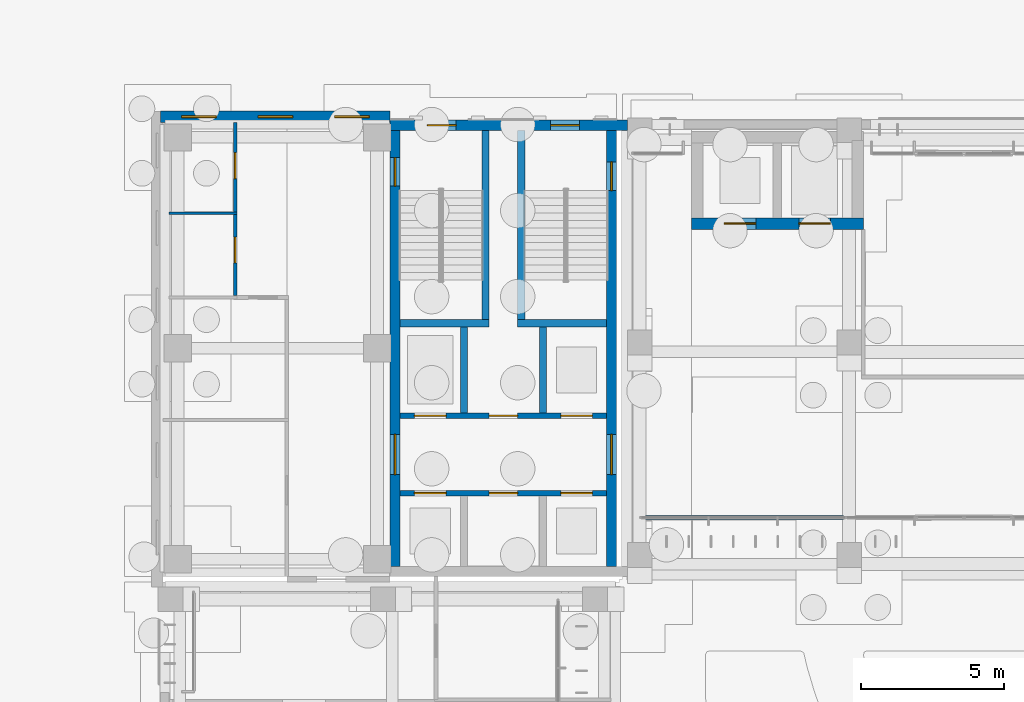
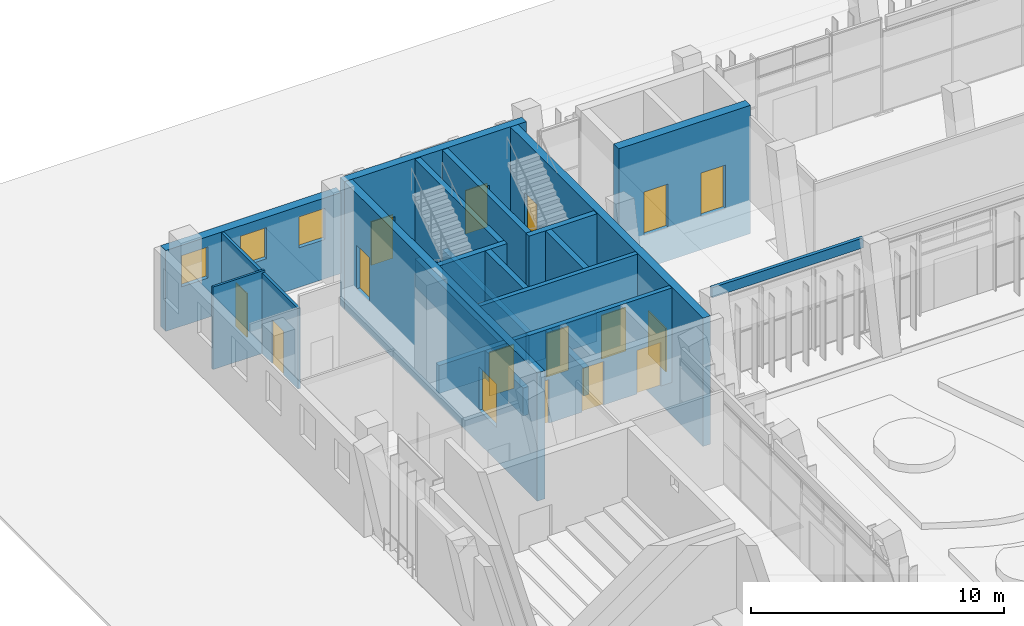
# One storey, part 110 of 144: 22 walls, 16 doors, 3 windows, 19 openings.
"""IFC4 building model written with IfcOpenShell, lengths in metres."""

import ifcopenshell
import ifcopenshell.guid

model = None  # the IFC model being written
_history = None  # IfcOwnerHistory: only IFC2X3 demands one
_inside = {}  # id of a spatial element -> (the spatial element, [elements in it])
_under = {}  # id of a project, library or spatial element -> (it, [spatial elements below it])
_declared = {}  # id of a project -> (the project, [libraries it declares])
_typed = {}  # id of a type object -> (the type object, [elements of that type])
_made_of = {}  # id of a material, layer set ... -> (it, [elements and type objects made of it])


def new_model(schema):
    """Start an empty IFC model of exactly this schema.

    Asked for "IFC4X3", IfcOpenShell would pick the latest addendum, in which some entities
    have other attributes; the version numbers below select the first issue.
    IFC2X3 requires an IfcOwnerHistory on every rooted entity: one is made here for all.
    """
    global model, _history
    if schema == "IFC4X3":
        model = ifcopenshell.file(schema_version=(4, 3, 0, 0))
    else:
        model = ifcopenshell.file(schema=schema)
    _inside.clear()
    _under.clear()
    _declared.clear()
    _typed.clear()
    _made_of.clear()
    _history = None
    if model.schema == "IFC2X3":
        org = make("IfcOrganization", Name="unknown")
        user = make(
            "IfcPersonAndOrganization",
            ThePerson=make("IfcPerson", FamilyName="unknown"),
            TheOrganization=org,
        )
        app = make(
            "IfcApplication",
            ApplicationDeveloper=org,
            Version="unknown",
            ApplicationFullName="unknown",
            ApplicationIdentifier="unknown",
        )
        _history = make(
            "IfcOwnerHistory",
            OwningUser=user,
            OwningApplication=app,
            ChangeAction="ADDED",
            CreationDate=0,
        )
    return model


def make(cls, **values):
    """One entity of the class cls with the attributes given. An attribute that is None is left unset."""
    return model.create_entity(
        cls, **{name: value for name, value in values.items() if value is not None}
    )


def rooted(cls, **values):
    """An entity with a GlobalId (a new one), such as an element, a storey or a relation."""
    return make(cls, GlobalId=ifcopenshell.guid.new(), OwnerHistory=_history, **values)


def si_unit(unit_type, name, prefix=None):
    """IfcSIUnit, for example si_unit("LENGTHUNIT", "METRE", prefix="MILLI")."""
    return make("IfcSIUnit", UnitType=unit_type, Prefix=prefix, Name=name)


def assignment(units):
    """IfcUnitAssignment: the units of a project."""
    return None if units is None else make("IfcUnitAssignment", Units=units)


def point(xyz):
    """IfcCartesianPoint."""
    return None if xyz is None else make("IfcCartesianPoint", Coordinates=xyz)


def direction(xyz):
    """IfcDirection."""
    return None if xyz is None else make("IfcDirection", DirectionRatios=xyz)


def frame(location, z_axis=None, x_axis=None):
    """IfcAxis2Placement3D, a coordinate frame: its origin and axes. An axis left out is left unset."""
    return make(
        "IfcAxis2Placement3D",
        Location=point(location),
        Axis=direction(z_axis),
        RefDirection=direction(x_axis),
    )


def frame_2d(location, x_axis=None):
    """IfcAxis2Placement2D, a coordinate frame in the plane: its origin and x axis."""
    return make(
        "IfcAxis2Placement2D", Location=point(location), RefDirection=direction(x_axis)
    )


def origin():
    """The frame at (0, 0, 0) with its axes left unset."""
    return frame((0.0, 0.0, 0.0))


def place(relative_to, where):
    """IfcLocalPlacement: puts the frame where relative to a parent placement (None: the world)."""
    return make(
        "IfcLocalPlacement", PlacementRelTo=relative_to, RelativePlacement=where
    )


def context(
    kind, dimensions, precision=None, world=None, true_north=None, identifier=None
):
    """IfcGeometricRepresentationContext, for example the 3D "Model" context."""
    return make(
        "IfcGeometricRepresentationContext",
        ContextIdentifier=identifier,
        ContextType=kind,
        CoordinateSpaceDimension=dimensions,
        Precision=precision,
        WorldCoordinateSystem=world,
        TrueNorth=true_north,
    )


def subcontext(parent, identifier, kind, view, scale=None):
    """IfcGeometricRepresentationSubContext, for example "Body" below "Model"."""
    return make(
        "IfcGeometricRepresentationSubContext",
        ContextIdentifier=identifier,
        ContextType=kind,
        ParentContext=parent,
        TargetScale=scale,
        TargetView=view,
    )


def project(units=None, contexts=None):
    """IfcProject with its units and contexts."""
    return rooted(
        "IfcProject",
        Name="project",
        RepresentationContexts=contexts,
        UnitsInContext=assignment(units),
    )


def spatial(cls, under=None, at=None, **own):
    """A site, building, storey or space (cls), placed at a placement, below another one or the project."""
    s = rooted(cls, ObjectPlacement=at, **own)
    if under is not None:
        _under.setdefault(under.id(), (under, []))[1].append(s)
    return s


def profile(cls, at=None, kind="AREA", **sizes):
    """A parametric profile (cls). Its sizes go by their IFC names, for example OverallWidth=200.0."""
    return make(cls, ProfileType=kind, Position=at, **sizes)


def rectangle(**sizes):
    """IfcRectangleProfileDef."""
    return profile("IfcRectangleProfileDef", **sizes)


def extrude(swept, where, along, depth):
    """IfcExtrudedAreaSolid: the profile swept, set in the frame where, extruded along a direction by depth."""
    return make(
        "IfcExtrudedAreaSolid",
        SweptArea=swept,
        Position=where,
        ExtrudedDirection=direction(along),
        Depth=depth,
    )


def shape(context_of_items, identifier, shape_type, items):
    """IfcShapeRepresentation: the items that make up one representation, for example the "Body"."""
    return make(
        "IfcShapeRepresentation",
        ContextOfItems=context_of_items,
        RepresentationIdentifier=identifier,
        RepresentationType=shape_type,
        Items=items,
    )


def material(Name=None, Category=None):
    """IfcMaterial."""
    return make("IfcMaterial", Name=Name, Category=Category)


def layer(
    of_material, thickness, ventilated=None, Name=None, Category=None, Priority=None
):
    """IfcMaterialLayer: one layer of a wall or slab, of a material (None: an air gap)."""
    return make(
        "IfcMaterialLayer",
        Material=of_material,
        LayerThickness=thickness,
        IsVentilated=ventilated,
        Name=Name,
        Category=Category,
        Priority=Priority,
    )


def layer_set(layers, Name=None):
    """IfcMaterialLayerSet."""
    return make("IfcMaterialLayerSet", MaterialLayers=layers, LayerSetName=Name)


def made_of(thing, what):
    """Note that an element or type object is made of a material, layer set ...; save() writes the relation."""
    if what is not None:
        _made_of.setdefault(what.id(), (what, []))[1].append(thing)
    return thing


def type_object(cls, material=None, **own):
    """A type object (cls), such as IfcWallType, which elements share."""
    return made_of(rooted(cls, **own), material)


def element(
    cls,
    number,
    at=None,
    inside=None,
    cuts=None,
    type_object=None,
    material=None,
    context=None,
    identifier="Body",
    shape_type=None,
    held_by="IfcProductDefinitionShape",
    body=None,
    shapes=None,
    **own,
):
    """One element of the class cls, such as IfcWall. Its Tag is "e" and its number.

    at: its placement. inside: the storey or other place that contains it. cuts: it is an
    opening in that element (IfcRelVoidsElement). A single representation is given by context,
    identifier, shape_type and body (its items); several are given by shapes. held_by: the class
    of the entity that holds the representations. save() writes the other relations.
    """
    e = rooted(cls, Tag="e%d" % number, ObjectPlacement=at, **own)
    if body is not None:
        shapes = [shape(context, identifier, shape_type, body)]
    if shapes is not None:
        e.Representation = make(held_by, Representations=shapes)
    if inside is not None:
        _inside.setdefault(inside.id(), (inside, []))[1].append(e)
    if cuts is not None:
        rooted(
            "IfcRelVoidsElement", RelatingBuildingElement=cuts, RelatedOpeningElement=e
        )
    if type_object is not None:
        _typed.setdefault(type_object.id(), (type_object, []))[1].append(e)
    return made_of(e, material)


def fill(opening, filler):
    """IfcRelFillsElement: the door or window that sits in an opening."""
    return rooted(
        "IfcRelFillsElement",
        RelatingOpeningElement=opening,
        RelatedBuildingElement=filler,
    )


def aggregate(whole, parts):
    """IfcRelAggregates: a whole, such as a stair, and the parts it consists of."""
    return rooted("IfcRelAggregates", RelatingObject=whole, RelatedObjects=parts)


def save(model, path):
    """Write the relations noted so far, then the file.

    IfcRelAggregates (storeys below a building ...), IfcRelContainedInSpatialStructure (elements
    in a storey), IfcRelDefinesByType, IfcRelAssociatesMaterial and IfcRelDeclares: one each for
    every whole, place, type object, material and project.
    """
    for whole, parts in _under.values():
        aggregate(whole, parts)
    for where, things in _inside.values():
        rooted(
            "IfcRelContainedInSpatialStructure",
            RelatedElements=things,
            RelatingStructure=where,
        )
    for kind, things in _typed.values():
        rooted("IfcRelDefinesByType", RelatedObjects=things, RelatingType=kind)
    for what, things in _made_of.values():
        rooted("IfcRelAssociatesMaterial", RelatedObjects=things, RelatingMaterial=what)
    for by, libraries in _declared.values():
        rooted("IfcRelDeclares", RelatingContext=by, RelatedDefinitions=libraries)
    model.write(path)


model = new_model("IFC4")

# Units and contexts
model_context = context("Model", 3, precision=1e-05, world=origin(), true_north=direction((0.0, 1.0)))
body_context = subcontext(model_context, "Body", "Model", "MODEL_VIEW")
ifc_project = project(units=[si_unit("LENGTHUNIT", "METRE"), si_unit("AREAUNIT", "SQUARE_METRE"), si_unit("VOLUMEUNIT", "CUBIC_METRE"), si_unit("PLANEANGLEUNIT", "RADIAN"), si_unit("MASSUNIT", "GRAM", prefix="KILO")], contexts=[model_context])

# Site, building, storey
site_placement = place(None, origin())
site = spatial("IfcSite", under=ifc_project, at=site_placement, CompositionType="ELEMENT")
building_placement = place(site_placement, origin())
building = spatial("IfcBuilding", under=site, at=building_placement, Name="Lantern Court Media Centre", CompositionType="ELEMENT")
storey_placement = place(building_placement, origin())
storey = spatial("IfcBuildingStorey", under=building, at=storey_placement, Name="L00", CompositionType="ELEMENT", Elevation=0.0)

# Wall, openings, doors
ifc_material_1 = material(Name="Gypsum board partition")
ifc_layer_1 = layer(ifc_material_1, 0.125)
ifc_layer_set_1 = layer_set([ifc_layer_1], Name="Gypsum board partition")
wall_type_1 = type_object("IfcWallType", Name="Corridor partition 125", PredefinedType="PARTITIONING", material=ifc_layer_set_1)
wall_1_placement = place(storey_placement, frame((10.60009765625, 105.8828125, 0.0), z_axis=(0.0, 0.0, 1.0), x_axis=(0.0, 1.0, 0.0)))
wall_1 = element("IfcWall", 1, at=wall_1_placement, inside=storey, type_object=wall_type_1, Name="L00 partition 035", PredefinedType="PARTITIONING", context=body_context, shape_type="SweptSolid", body=[
    extrude(rectangle(XDim=6.037109375, YDim=0.125, at=frame_2d((3.0185546875, 0.0))), origin(), (0.0, 0.0, 1.0), 3.8798828125),
])
opening_1_placement = place(wall_1_placement, frame((4.084228515625, 0.0, 0.0)))
opening_1 = element("IfcOpeningElement", 2, at=opening_1_placement, cuts=wall_1, Name="Opening L00-029", PredefinedType="OPENING", context=body_context, shape_type="SweptSolid", body=[
    extrude(rectangle(XDim=0.89990234375, YDim=2.10009765625, at=frame_2d((0.449951171875, 1.050048828125))), frame((0.0, 0.072509765625, 0.0), z_axis=(0.0, -1.0, 0.0), x_axis=(1.0, 0.0, 0.0)), (0.0, 0.0, 1.0), 0.14501953125),
])
opening_2_placement = place(wall_1_placement, frame((1.144287109375, 0.0, 0.0)))
opening_2 = element("IfcOpeningElement", 3, at=opening_2_placement, cuts=wall_1, Name="Opening L00-030", PredefinedType="OPENING", context=body_context, shape_type="SweptSolid", body=[
    extrude(rectangle(XDim=0.89990234375, YDim=2.10009765625, at=frame_2d((0.449951171875, 1.050048828125))), frame((0.0, 0.072509765625, 0.0), z_axis=(0.0, -1.0, 0.0), x_axis=(1.0, 0.0, 0.0)), (0.0, 0.0, 1.0), 0.14501953125),
])
ifc_material_2 = material(Name="Solid-core timber door leaf", Category="wood")
door_type_1 = type_object("IfcDoorType", Name="Single door 900x2100", OperationType="NOTDEFINED", PredefinedType="DOOR", material=ifc_material_2)
door_1_placement = place(opening_1_placement, origin())
door_1 = element("IfcDoor", 4, at=door_1_placement, inside=storey, type_object=door_type_1, Name="L00 WC Male door", OperationType="SINGLE_SWING_RIGHT", OverallHeight=2.10009765625, OverallWidth=0.89990234375, PredefinedType="DOOR", context=body_context, shape_type="SweptSolid", body=[
    extrude(rectangle(XDim=0.89990234375, YDim=2.10009765625, at=frame_2d((0.449951171875, 1.050048828125))), frame((0.0, 0.02490234375, 0.0), z_axis=(0.0, -1.0, 0.0), x_axis=(1.0, 0.0, 0.0)), (0.0, 0.0, 1.0), 0.050048828125),
])
fill(opening_1, door_1)
door_2_placement = place(opening_2_placement, origin())
door_2 = element("IfcDoor", 5, at=door_2_placement, inside=storey, type_object=door_type_1, Name="L00 WC Female door", OperationType="SINGLE_SWING_LEFT", OverallHeight=2.10009765625, OverallWidth=0.89990234375, PredefinedType="DOOR", context=body_context, shape_type="SweptSolid", body=[
    extrude(rectangle(XDim=0.89990234375, YDim=2.10009765625, at=frame_2d((0.449951171875, 1.050048828125))), frame((0.0, 0.02490234375, 0.0), z_axis=(0.0, -1.0, 0.0), x_axis=(1.0, 0.0, 0.0)), (0.0, 0.0, 1.0), 0.050048828125),
])
fill(opening_2, door_2)

ifc_material_3 = material(Name="Concrete C40", Category="concrete")
ifc_layer_2 = layer(ifc_material_3, 0.199951171875)
ifc_layer_set_2 = layer_set([ifc_layer_2], Name="Concrete C40")
wall_type_2 = type_object("IfcWallType", Name="Fire lobby wall 200", PredefinedType="SOLIDWALL", material=ifc_layer_set_2)
wall_2_placement = place(storey_placement, frame((16.35009765625, 101.699951171875, 0.0), z_axis=(0.0, 0.0, 1.0), x_axis=(1.0, 0.0, 0.0)))
wall_2 = element("IfcWall", 6, at=wall_2_placement, inside=storey, type_object=wall_type_2, Name="L00 NW FW1", PredefinedType="SOLIDWALL", context=body_context, shape_type="SweptSolid", body=[
    extrude(rectangle(XDim=7.199951171875, YDim=0.199951171875, at=frame_2d((3.60009765625, 0.0))), origin(), (0.0, 0.0, 1.0), 4.550048828125),
])
opening_3_placement = place(wall_2_placement, frame((0.5, 0.0, 0.0)))
opening_3 = element("IfcOpeningElement", 7, at=opening_3_placement, cuts=wall_2, Name="Opening LD-NWFF-L00", PredefinedType="OPENING", context=body_context, shape_type="SweptSolid", body=[
    extrude(rectangle(XDim=1.10009765625, YDim=2.10009765625, at=frame_2d((0.550048828125, 1.050048828125))), frame((0.0, 0.10986328125, 0.0), z_axis=(0.0, -1.0, 0.0), x_axis=(1.0, 0.0, 0.0)), (0.0, 0.0, 1.0), 0.219970703125),
])
opening_4_placement = place(wall_2_placement, frame((5.60009765625, 0.0, 0.0)))
opening_4 = element("IfcOpeningElement", 8, at=opening_4_placement, cuts=wall_2, Name="Opening LD-NWP1-L00", PredefinedType="OPENING", context=body_context, shape_type="SweptSolid", body=[
    extrude(rectangle(XDim=1.10009765625, YDim=2.10009765625, at=frame_2d((0.550048828125, 1.050048828125))), frame((0.0, 0.10986328125, 0.0), z_axis=(0.0, -1.0, 0.0), x_axis=(1.0, 0.0, 0.0)), (0.0, 0.0, 1.0), 0.219970703125),
])
opening_5_placement = place(wall_2_placement, frame((3.10009765625, 0.0, 0.0)))
opening_5 = element("IfcOpeningElement", 9, at=opening_5_placement, cuts=wall_2, Name="Opening NW-L00-05", PredefinedType="OPENING", context=body_context, shape_type="SweptSolid", body=[
    extrude(rectangle(XDim=1.0, YDim=2.10009765625, at=frame_2d((0.5, 1.050048828125))), frame((0.0, 0.10986328125, 0.0), z_axis=(0.0, -1.0, 0.0), x_axis=(1.0, 0.0, 0.0)), (0.0, 0.0, 1.0), 0.219970703125),
])
ifc_material_4 = material(Name="Steel door leaf", Category="steel")
door_type_2 = type_object("IfcDoorType", Name="Lift landing door 1100x2100", OperationType="DOUBLE_DOOR_SLIDING", PredefinedType="DOOR", material=ifc_material_4)
door_3_placement = place(opening_3_placement, frame((1.10009765625, 0.0, 0.0), z_axis=(0.0, 0.0, 1.0), x_axis=(-1.0, 0.0, 0.0)))
door_3 = element("IfcDoor", 10, at=door_3_placement, inside=storey, type_object=door_type_2, Name="L00 NW lift FF landing door", OperationType="DOUBLE_DOOR_SLIDING", OverallHeight=2.10009765625, OverallWidth=1.10009765625, PredefinedType="DOOR", context=body_context, shape_type="SweptSolid", body=[
    extrude(rectangle(XDim=1.10009765625, YDim=2.10009765625, at=frame_2d((0.550048828125, 1.050048828125))), frame((0.0, 0.02490234375, 0.0), z_axis=(0.0, -1.0, 0.0), x_axis=(1.0, 0.0, 0.0)), (0.0, 0.0, 1.0), 0.050048828125),
])
fill(opening_3, door_3)
door_4_placement = place(opening_4_placement, frame((1.10009765625, 0.0, 0.0), z_axis=(0.0, 0.0, 1.0), x_axis=(-1.0, 0.0, 0.0)))
door_4 = element("IfcDoor", 11, at=door_4_placement, inside=storey, type_object=door_type_2, Name="L00 NW lift P1 landing door", OperationType="DOUBLE_DOOR_SLIDING", OverallHeight=2.10009765625, OverallWidth=1.10009765625, PredefinedType="DOOR", context=body_context, shape_type="SweptSolid", body=[
    extrude(rectangle(XDim=1.10009765625, YDim=2.10009765625, at=frame_2d((0.550048828125, 1.050048828125))), frame((0.0, 0.02490234375, 0.0), z_axis=(0.0, -1.0, 0.0), x_axis=(1.0, 0.0, 0.0)), (0.0, 0.0, 1.0), 0.050048828125),
])
fill(opening_4, door_4)
door_type_3 = type_object("IfcDoorType", Name="Service door 1000x2100", OperationType="NOTDEFINED", PredefinedType="DOOR", material=ifc_material_4)
door_5_placement = place(opening_5_placement, frame((1.0, 0.0, 0.0), z_axis=(0.0, 0.0, 1.0), x_axis=(-1.0, 0.0, 0.0)))
door_5 = element("IfcDoor", 12, at=door_5_placement, inside=storey, type_object=door_type_3, Name="L00 NW services riser door", OperationType="SINGLE_SWING_LEFT", OverallHeight=2.10009765625, OverallWidth=1.0, PredefinedType="DOOR", context=body_context, shape_type="SweptSolid", body=[
    extrude(rectangle(XDim=1.0, YDim=2.10009765625, at=frame_2d((0.5, 1.050048828125))), frame((0.0, 0.02490234375, 0.0), z_axis=(0.0, -1.0, 0.0), x_axis=(1.0, 0.0, 0.0)), (0.0, 0.0, 1.0), 0.050048828125),
])
fill(opening_5, door_5)

wall_3_placement = place(storey_placement, frame((16.35009765625, 99.0, 0.0), z_axis=(0.0, 0.0, 1.0), x_axis=(1.0, 0.0, 0.0)))
wall_3 = element("IfcWall", 13, at=wall_3_placement, inside=storey, type_object=wall_type_2, Name="L00 NW FW2", PredefinedType="SOLIDWALL", context=body_context, shape_type="SweptSolid", body=[
    extrude(rectangle(XDim=7.199951171875, YDim=0.199951171875, at=frame_2d((3.60009765625, 0.0))), origin(), (0.0, 0.0, 1.0), 4.550048828125),
])
opening_6_placement = place(wall_3_placement, frame((0.5, 0.0, 0.0)))
opening_6 = element("IfcOpeningElement", 14, at=opening_6_placement, cuts=wall_3, Name="Opening LD-NWP2-L00", PredefinedType="OPENING", context=body_context, shape_type="SweptSolid", body=[
    extrude(rectangle(XDim=1.10009765625, YDim=2.10009765625, at=frame_2d((0.550048828125, 1.050048828125))), frame((0.0, 0.10986328125, 0.0), z_axis=(0.0, -1.0, 0.0), x_axis=(1.0, 0.0, 0.0)), (0.0, 0.0, 1.0), 0.219970703125),
])
opening_7_placement = place(wall_3_placement, frame((5.60009765625, 0.0, 0.0)))
opening_7 = element("IfcOpeningElement", 15, at=opening_7_placement, cuts=wall_3, Name="Opening LD-NWP3-L00", PredefinedType="OPENING", context=body_context, shape_type="SweptSolid", body=[
    extrude(rectangle(XDim=1.10009765625, YDim=2.10009765625, at=frame_2d((0.550048828125, 1.050048828125))), frame((0.0, 0.10986328125, 0.0), z_axis=(0.0, -1.0, 0.0), x_axis=(1.0, 0.0, 0.0)), (0.0, 0.0, 1.0), 0.219970703125),
])
opening_8_placement = place(wall_3_placement, frame((3.10009765625, 0.0, 0.0)))
opening_8 = element("IfcOpeningElement", 16, at=opening_8_placement, cuts=wall_3, Name="Opening NW-L00-06", PredefinedType="OPENING", context=body_context, shape_type="SweptSolid", body=[
    extrude(rectangle(XDim=1.0, YDim=2.10009765625, at=frame_2d((0.5, 1.050048828125))), frame((0.0, 0.10986328125, 0.0), z_axis=(0.0, -1.0, 0.0), x_axis=(1.0, 0.0, 0.0)), (0.0, 0.0, 1.0), 0.219970703125),
])
door_6_placement = place(opening_6_placement, origin())
door_6 = element("IfcDoor", 17, at=door_6_placement, inside=storey, type_object=door_type_2, Name="L00 NW lift P2 landing door", OperationType="DOUBLE_DOOR_SLIDING", OverallHeight=2.10009765625, OverallWidth=1.10009765625, PredefinedType="DOOR", context=body_context, shape_type="SweptSolid", body=[
    extrude(rectangle(XDim=1.10009765625, YDim=2.10009765625, at=frame_2d((0.550048828125, 1.050048828125))), frame((0.0, 0.02490234375, 0.0), z_axis=(0.0, -1.0, 0.0), x_axis=(1.0, 0.0, 0.0)), (0.0, 0.0, 1.0), 0.050048828125),
])
fill(opening_6, door_6)
door_7_placement = place(opening_7_placement, origin())
door_7 = element("IfcDoor", 18, at=door_7_placement, inside=storey, type_object=door_type_2, Name="L00 NW lift P3 landing door", OperationType="DOUBLE_DOOR_SLIDING", OverallHeight=2.10009765625, OverallWidth=1.10009765625, PredefinedType="DOOR", context=body_context, shape_type="SweptSolid", body=[
    extrude(rectangle(XDim=1.10009765625, YDim=2.10009765625, at=frame_2d((0.550048828125, 1.050048828125))), frame((0.0, 0.02490234375, 0.0), z_axis=(0.0, -1.0, 0.0), x_axis=(1.0, 0.0, 0.0)), (0.0, 0.0, 1.0), 0.050048828125),
])
fill(opening_7, door_7)
door_8_placement = place(opening_8_placement, origin())
door_8 = element("IfcDoor", 19, at=door_8_placement, inside=storey, type_object=door_type_3, Name="L00 NW accessible WC door", OperationType="SINGLE_SWING_RIGHT", OverallHeight=2.10009765625, OverallWidth=1.0, PredefinedType="DOOR", context=body_context, shape_type="SweptSolid", body=[
    extrude(rectangle(XDim=1.0, YDim=2.10009765625, at=frame_2d((0.5, 1.050048828125))), frame((0.0, 0.02490234375, 0.0), z_axis=(0.0, -1.0, 0.0), x_axis=(1.0, 0.0, 0.0)), (0.0, 0.0, 1.0), 0.050048828125),
])
fill(opening_8, door_8)

# Wall
ifc_material_5 = material(Name="Insulated rendered blockwork", Category="masonry")
ifc_layer_3 = layer(ifc_material_5, 0.14990234375)
ifc_layer_set_3 = layer_set([ifc_layer_3], Name="Insulated rendered blockwork")
wall_type_3 = type_object("IfcWallType", Name="Head infill wall 150", PredefinedType="SOLIDWALL", material=ifc_layer_set_3)
wall_4_placement = place(storey_placement, frame((24.89990234375, 98.14990234375, 4.10009765625), z_axis=(0.0, 0.0, 1.0), x_axis=(1.0, 0.0, 0.0)))
element("IfcWall", 20, at=wall_4_placement, inside=storey, type_object=wall_type_3, Name="Head infill wall N inner L00", PredefinedType="SOLIDWALL", context=body_context, shape_type="SweptSolid", body=[
    extrude(rectangle(XDim=6.900146484375, YDim=0.14990234375, at=frame_2d((3.4501953125, 0.0))), origin(), (0.0, 0.0, 1.0), 0.47998046875),
])

# Wall, openings, windows
ifc_material_6 = material(Name="Honed limestone cladding on blockwork", Category="masonry")
ifc_layer_4 = layer(ifc_material_6, 0.39990234375)
ifc_layer_set_4 = layer_set([ifc_layer_4], Name="Honed limestone cladding on blockwork")
wall_type_4 = type_object("IfcWallType", Name="Limestone plinth wall 400", PredefinedType="SOLIDWALL", material=ifc_layer_set_4)
wall_5_placement = place(storey_placement, frame((8.0, 112.1201171875, 0.0), z_axis=(0.0, 0.0, 1.0), x_axis=(1.0, 0.0, 0.0)))
wall_5 = element("IfcWall", 21, at=wall_5_placement, inside=storey, type_object=wall_type_4, Name="Limestone wall NW N L00", PredefinedType="SOLIDWALL", context=body_context, shape_type="SweptSolid", body=[
    extrude(rectangle(XDim=8.0, YDim=0.39990234375, at=frame_2d((4.0, 0.0))), origin(), (0.0, 0.0, 1.0), 3.89990234375),
])
opening_9_placement = place(wall_5_placement, frame((0.7333984375, 0.0, 1.89990234375)))
opening_9 = element("IfcOpeningElement", 22, at=opening_9_placement, cuts=wall_5, Name="Opening WN-C", PredefinedType="OPENING", context=body_context, shape_type="SweptSolid", body=[
    extrude(rectangle(XDim=1.199951171875, YDim=1.5, at=frame_2d((0.60009765625, 0.75))), frame((0.0, 0.2099609375, 0.0), z_axis=(0.0, -1.0, 0.0), x_axis=(1.0, 0.0, 0.0)), (0.0, 0.0, 1.0), 0.419921875),
])
opening_10_placement = place(wall_5_placement, frame((3.39990234375, 0.0, 1.89990234375)))
opening_10 = element("IfcOpeningElement", 23, at=opening_10_placement, cuts=wall_5, Name="Opening WN-C", PredefinedType="OPENING", context=body_context, shape_type="SweptSolid", body=[
    extrude(rectangle(XDim=1.199951171875, YDim=1.5, at=frame_2d((0.60009765625, 0.75))), frame((0.0, 0.2099609375, 0.0), z_axis=(0.0, -1.0, 0.0), x_axis=(1.0, 0.0, 0.0)), (0.0, 0.0, 1.0), 0.419921875),
])
opening_11_placement = place(wall_5_placement, frame((6.066650390625, 0.0, 1.89990234375)))
opening_11 = element("IfcOpeningElement", 24, at=opening_11_placement, cuts=wall_5, Name="Opening WN-C", PredefinedType="OPENING", context=body_context, shape_type="SweptSolid", body=[
    extrude(rectangle(XDim=1.199951171875, YDim=1.5, at=frame_2d((0.60009765625, 0.75))), frame((0.0, 0.2099609375, 0.0), z_axis=(0.0, -1.0, 0.0), x_axis=(1.0, 0.0, 0.0)), (0.0, 0.0, 1.0), 0.419921875),
])
ifc_material_7 = material(Name="Anodised aluminium and glass", Category="aluminium")
window_type = type_object("IfcWindowType", Name="Clerestory window 1200x1500", PartitioningType="SINGLE_PANEL", PredefinedType="WINDOW", material=ifc_material_7)
window_1_placement = place(opening_9_placement, origin())
window_1 = element("IfcWindow", 25, at=window_1_placement, inside=storey, type_object=window_type, Name="Window NW N L00", OverallHeight=1.5, OverallWidth=1.199951171875, PartitioningType="SINGLE_PANEL", PredefinedType="WINDOW", context=body_context, shape_type="SweptSolid", body=[
    extrude(rectangle(XDim=1.199951171875, YDim=1.5, at=frame_2d((0.60009765625, 0.75))), frame((0.0, 0.030029296875, 0.0), z_axis=(0.0, -1.0, 0.0), x_axis=(1.0, 0.0, 0.0)), (0.0, 0.0, 1.0), 0.06005859375),
])
fill(opening_9, window_1)
window_2_placement = place(opening_10_placement, origin())
window_2 = element("IfcWindow", 26, at=window_2_placement, inside=storey, type_object=window_type, Name="Window NW N L00", OverallHeight=1.5, OverallWidth=1.199951171875, PartitioningType="SINGLE_PANEL", PredefinedType="WINDOW", context=body_context, shape_type="SweptSolid", body=[
    extrude(rectangle(XDim=1.199951171875, YDim=1.5, at=frame_2d((0.60009765625, 0.75))), frame((0.0, 0.030029296875, 0.0), z_axis=(0.0, -1.0, 0.0), x_axis=(1.0, 0.0, 0.0)), (0.0, 0.0, 1.0), 0.06005859375),
])
fill(opening_10, window_2)
window_3_placement = place(opening_11_placement, origin())
window_3 = element("IfcWindow", 27, at=window_3_placement, inside=storey, type_object=window_type, Name="Window NW N L00", OverallHeight=1.5, OverallWidth=1.199951171875, PartitioningType="SINGLE_PANEL", PredefinedType="WINDOW", context=body_context, shape_type="SweptSolid", body=[
    extrude(rectangle(XDim=1.199951171875, YDim=1.5, at=frame_2d((0.60009765625, 0.75))), frame((0.0, 0.030029296875, 0.0), z_axis=(0.0, -1.0, 0.0), x_axis=(1.0, 0.0, 0.0)), (0.0, 0.0, 1.0), 0.06005859375),
])
fill(opening_11, window_3)

# Wall
ifc_layer_5 = layer(ifc_material_1, 0.10009765625)
ifc_layer_set_5 = layer_set([ifc_layer_5], Name="Gypsum board partition")
wall_type_5 = type_object("IfcWallType", Name="Partition 100", PredefinedType="PARTITIONING", material=ifc_layer_set_5)
wall_6_placement = place(storey_placement, frame((8.300048828125, 108.760009765625, 0.0), z_axis=(0.0, 0.0, 1.0), x_axis=(1.0, 0.0, 0.0)))
element("IfcWall", 28, at=wall_6_placement, inside=storey, type_object=wall_type_5, Name="L00 partition 050", PredefinedType="PARTITIONING", context=body_context, shape_type="SweptSolid", body=[
    extrude(rectangle(XDim=2.362548828125, YDim=0.10009765625, at=frame_2d((1.18115234375, 0.0))), origin(), (0.0, 0.0, 1.0), 3.97998046875),
])

# Wall, openings, doors
ifc_layer_6 = layer(ifc_material_3, 0.35009765625)
ifc_layer_set_6 = layer_set([ifc_layer_6], Name="Concrete C40")
wall_type_6 = type_object("IfcWallType", Name="RC CORE WALL 350", PredefinedType="SHEAR", material=ifc_layer_set_6)
wall_7_placement = place(storey_placement, frame((16.0, 111.824951171875, -1.60009765625), z_axis=(0.0, 0.0, 1.0), x_axis=(1.0, 0.0, 0.0)))
wall_7 = element("IfcWall", 29, at=wall_7_placement, inside=storey, type_object=wall_type_6, Name="WC-NW-L00-N", PredefinedType="SHEAR", context=body_context, shape_type="SweptSolid", body=[
    extrude(rectangle(XDim=8.27490234375, YDim=0.35009765625, at=frame_2d((4.137451171875, 0.0))), origin(), (0.0, 0.0, 1.0), 6.18017578125),
])
opening_12_placement = place(wall_7_placement, frame((1.300048828125, 0.0, 1.60009765625)))
opening_12 = element("IfcOpeningElement", 30, at=opening_12_placement, cuts=wall_7, Name="Opening NW-L00-03", PredefinedType="OPENING", context=body_context, shape_type="SweptSolid", body=[
    extrude(rectangle(XDim=1.0, YDim=2.10009765625, at=frame_2d((0.5, 1.050048828125))), frame((0.0, 0.18505859375, 0.0), z_axis=(0.0, -1.0, 0.0), x_axis=(1.0, 0.0, 0.0)), (0.0, 0.0, 1.0), 0.3701171875),
])
opening_13_placement = place(wall_7_placement, frame((5.60009765625, 0.0, 1.60009765625)))
opening_13 = element("IfcOpeningElement", 31, at=opening_13_placement, cuts=wall_7, Name="Opening NW-L00-04", PredefinedType="OPENING", context=body_context, shape_type="SweptSolid", body=[
    extrude(rectangle(XDim=1.0, YDim=2.10009765625, at=frame_2d((0.5, 1.050048828125))), frame((0.0, 0.18505859375, 0.0), z_axis=(0.0, -1.0, 0.0), x_axis=(1.0, 0.0, 0.0)), (0.0, 0.0, 1.0), 0.3701171875),
])
door_type_4 = type_object("IfcDoorType", Name="Stair exit door 1000x2100", OperationType="NOTDEFINED", PredefinedType="DOOR", material=ifc_material_4)
door_9_placement = place(opening_12_placement, origin())
door_9 = element("IfcDoor", 32, at=door_9_placement, inside=storey, type_object=door_type_4, Name="L00 NW stair A exit door", OperationType="SINGLE_SWING_RIGHT", OverallHeight=2.10009765625, OverallWidth=1.0, PredefinedType="DOOR", context=body_context, shape_type="SweptSolid", body=[
    extrude(rectangle(XDim=1.0, YDim=2.10009765625, at=frame_2d((0.5, 1.050048828125))), frame((0.0, 0.02490234375, 0.0), z_axis=(0.0, -1.0, 0.0), x_axis=(1.0, 0.0, 0.0)), (0.0, 0.0, 1.0), 0.050048828125),
])
fill(opening_12, door_9)
door_10_placement = place(opening_13_placement, origin())
door_10 = element("IfcDoor", 33, at=door_10_placement, inside=storey, type_object=door_type_4, Name="L00 NW stair B exit door", OperationType="SINGLE_SWING_LEFT", OverallHeight=2.10009765625, OverallWidth=1.0, PredefinedType="DOOR", context=body_context, shape_type="SweptSolid", body=[
    extrude(rectangle(XDim=1.0, YDim=2.10009765625, at=frame_2d((0.5, 1.050048828125))), frame((0.0, 0.02490234375, 0.0), z_axis=(0.0, -1.0, 0.0), x_axis=(1.0, 0.0, 0.0)), (0.0, 0.0, 1.0), 0.050048828125),
])
fill(opening_13, door_10)

wall_8_placement = place(storey_placement, frame((16.175048828125, 96.449951171875, -1.60009765625), z_axis=(0.0, 0.0, 1.0), x_axis=(0.0, 1.0, 0.0)))
wall_8 = element("IfcWall", 34, at=wall_8_placement, inside=storey, type_object=wall_type_6, Name="WC-NW-L00-W", PredefinedType="SHEAR", context=body_context, shape_type="SweptSolid", body=[
    extrude(rectangle(XDim=15.199951171875, YDim=0.35009765625, at=frame_2d((7.60009765625, 0.0))), origin(), (0.0, 0.0, 1.0), 6.18017578125),
])
opening_14_placement = place(wall_8_placement, frame((13.25, 0.0, 1.60009765625)))
opening_14 = element("IfcOpeningElement", 35, at=opening_14_placement, cuts=wall_8, Name="Opening NW-L00-01", PredefinedType="OPENING", context=body_context, shape_type="SweptSolid", body=[
    extrude(rectangle(XDim=1.0, YDim=2.10009765625, at=frame_2d((0.5, 1.050048828125))), frame((0.0, 0.18505859375, 0.0), z_axis=(0.0, -1.0, 0.0), x_axis=(1.0, 0.0, 0.0)), (0.0, 0.0, 1.0), 0.3701171875),
])
opening_15_placement = place(wall_8_placement, frame((3.199951171875, 0.0, 1.60009765625)))
opening_15 = element("IfcOpeningElement", 36, at=opening_15_placement, cuts=wall_8, Name="Opening NW-L00-07", PredefinedType="OPENING", context=body_context, shape_type="SweptSolid", body=[
    extrude(rectangle(XDim=1.39990234375, YDim=2.10009765625, at=frame_2d((0.699951171875, 1.050048828125))), frame((0.0, 0.18505859375, 0.0), z_axis=(0.0, -1.0, 0.0), x_axis=(1.0, 0.0, 0.0)), (0.0, 0.0, 1.0), 0.3701171875),
])
door_type_5 = type_object("IfcDoorType", Name="Lift lobby double door 1400x2100", OperationType="NOTDEFINED", PredefinedType="DOOR", material=ifc_material_4)
door_11_placement = place(opening_15_placement, origin())
door_11 = element("IfcDoor", 37, at=door_11_placement, inside=storey, type_object=door_type_5, Name="L00 NW lift lobby west door", OperationType="SINGLE_SWING_LEFT", OverallHeight=2.10009765625, OverallWidth=1.39990234375, PredefinedType="DOOR", context=body_context, shape_type="SweptSolid", body=[
    extrude(rectangle(XDim=1.39990234375, YDim=2.10009765625, at=frame_2d((0.699951171875, 1.050048828125))), frame((0.0, 0.02490234375, 0.0), z_axis=(0.0, -1.0, 0.0), x_axis=(1.0, 0.0, 0.0)), (0.0, 0.0, 1.0), 0.050048828125),
])
fill(opening_15, door_11)
door_type_6 = type_object("IfcDoorType", Name="Stair door 1000x2100", OperationType="NOTDEFINED", PredefinedType="DOOR", material=ifc_material_4)
door_12_placement = place(opening_14_placement, origin())
door_12 = element("IfcDoor", 38, at=door_12_placement, inside=storey, type_object=door_type_6, Name="L00 NW stair A door", OperationType="SINGLE_SWING_LEFT", OverallHeight=2.10009765625, OverallWidth=1.0, PredefinedType="DOOR", context=body_context, shape_type="SweptSolid", body=[
    extrude(rectangle(XDim=1.0, YDim=2.10009765625, at=frame_2d((0.5, 1.050048828125))), frame((0.0, 0.02490234375, 0.0), z_axis=(0.0, -1.0, 0.0), x_axis=(1.0, 0.0, 0.0)), (0.0, 0.0, 1.0), 0.050048828125),
])
fill(opening_14, door_12)

wall_9_placement = place(storey_placement, frame((23.72509765625, 96.449951171875, -1.60009765625), z_axis=(0.0, 0.0, 1.0), x_axis=(0.0, 1.0, 0.0)))
wall_9 = element("IfcWall", 39, at=wall_9_placement, inside=storey, type_object=wall_type_6, Name="WC-NW-L00-E", PredefinedType="SHEAR", context=body_context, shape_type="SweptSolid", body=[
    extrude(rectangle(XDim=15.199951171875, YDim=0.35009765625, at=frame_2d((7.60009765625, 0.0))), origin(), (0.0, 0.0, 1.0), 6.18017578125),
])
opening_16_placement = place(wall_9_placement, frame((13.10009765625, 0.0, 1.60009765625)))
opening_16 = element("IfcOpeningElement", 40, at=opening_16_placement, cuts=wall_9, Name="Opening NW-L00-02", PredefinedType="OPENING", context=body_context, shape_type="SweptSolid", body=[
    extrude(rectangle(XDim=1.0, YDim=2.10009765625, at=frame_2d((0.5, 1.050048828125))), frame((0.0, 0.18505859375, 0.0), z_axis=(0.0, -1.0, 0.0), x_axis=(1.0, 0.0, 0.0)), (0.0, 0.0, 1.0), 0.3701171875),
])
opening_17_placement = place(wall_9_placement, frame((3.199951171875, 0.0, 1.60009765625)))
opening_17 = element("IfcOpeningElement", 41, at=opening_17_placement, cuts=wall_9, Name="Opening NW-L00-08", PredefinedType="OPENING", context=body_context, shape_type="SweptSolid", body=[
    extrude(rectangle(XDim=1.39990234375, YDim=2.10009765625, at=frame_2d((0.699951171875, 1.050048828125))), frame((0.0, 0.18505859375, 0.0), z_axis=(0.0, -1.0, 0.0), x_axis=(1.0, 0.0, 0.0)), (0.0, 0.0, 1.0), 0.3701171875),
])
door_13_placement = place(opening_17_placement, frame((1.39990234375, 0.0, 0.0), z_axis=(0.0, 0.0, 1.0), x_axis=(-1.0, 0.0, 0.0)))
door_13 = element("IfcDoor", 42, at=door_13_placement, inside=storey, type_object=door_type_5, Name="L00 NW lift lobby east door", OperationType="SINGLE_SWING_LEFT", OverallHeight=2.10009765625, OverallWidth=1.39990234375, PredefinedType="DOOR", context=body_context, shape_type="SweptSolid", body=[
    extrude(rectangle(XDim=1.39990234375, YDim=2.10009765625, at=frame_2d((0.699951171875, 1.050048828125))), frame((0.0, 0.02490234375, 0.0), z_axis=(0.0, -1.0, 0.0), x_axis=(1.0, 0.0, 0.0)), (0.0, 0.0, 1.0), 0.050048828125),
])
fill(opening_17, door_13)
door_14_placement = place(opening_16_placement, frame((1.0, 0.0, 0.0), z_axis=(0.0, 0.0, 1.0), x_axis=(-1.0, 0.0, 0.0)))
door_14 = element("IfcDoor", 43, at=door_14_placement, inside=storey, type_object=door_type_6, Name="L00 NW stair B door", OperationType="SINGLE_SWING_LEFT", OverallHeight=2.10009765625, OverallWidth=1.0, PredefinedType="DOOR", context=body_context, shape_type="SweptSolid", body=[
    extrude(rectangle(XDim=1.0, YDim=2.10009765625, at=frame_2d((0.5, 1.050048828125))), frame((0.0, 0.02490234375, 0.0), z_axis=(0.0, -1.0, 0.0), x_axis=(1.0, 0.0, 0.0)), (0.0, 0.0, 1.0), 0.050048828125),
])
fill(opening_16, door_14)

ifc_layer_7 = layer(ifc_material_3, 0.39990234375)
ifc_layer_set_7 = layer_set([ifc_layer_7], Name="Concrete C40")
wall_type_7 = type_object("IfcWallType", Name="RC SHEAR WALL 400", PredefinedType="SHEAR", material=ifc_layer_set_7)
wall_10_placement = place(storey_placement, frame((26.5, 108.39990234375, -1.60009765625), z_axis=(0.0, 0.0, 1.0), x_axis=(1.0, 0.0, 0.0)))
wall_10 = element("IfcWall", 44, at=wall_10_placement, inside=storey, type_object=wall_type_7, Name="WB-N-LC-L00-S", PredefinedType="SHEAR", context=body_context, shape_type="SweptSolid", body=[
    extrude(rectangle(XDim=6.0, YDim=0.39990234375, at=frame_2d((3.0, 0.0))), origin(), (0.0, 0.0, 1.0), 6.18017578125),
])
opening_18_placement = place(wall_10_placement, frame((1.14990234375, 0.0, 1.60009765625)))
opening_18 = element("IfcOpeningElement", 45, at=opening_18_placement, cuts=wall_10, Name="Opening LD-N-LCP-L00", PredefinedType="OPENING", context=body_context, shape_type="SweptSolid", body=[
    extrude(rectangle(XDim=1.10009765625, YDim=2.10009765625, at=frame_2d((0.550048828125, 1.050048828125))), frame((0.0, 0.2099609375, 0.0), z_axis=(0.0, -1.0, 0.0), x_axis=(1.0, 0.0, 0.0)), (0.0, 0.0, 1.0), 0.419921875),
])
opening_19_placement = place(wall_10_placement, frame((3.75, 0.0, 1.60009765625)))
opening_19 = element("IfcOpeningElement", 46, at=opening_19_placement, cuts=wall_10, Name="Opening LD-N-LCS-L00", PredefinedType="OPENING", context=body_context, shape_type="SweptSolid", body=[
    extrude(rectangle(XDim=1.10009765625, YDim=2.10009765625, at=frame_2d((0.550048828125, 1.050048828125))), frame((0.0, 0.2099609375, 0.0), z_axis=(0.0, -1.0, 0.0), x_axis=(1.0, 0.0, 0.0)), (0.0, 0.0, 1.0), 0.419921875),
])
door_15_placement = place(opening_18_placement, frame((1.10009765625, 0.0, 0.0), z_axis=(0.0, 0.0, 1.0), x_axis=(-1.0, 0.0, 0.0)))
door_15 = element("IfcDoor", 47, at=door_15_placement, inside=storey, type_object=door_type_2, Name="L00 N-LC passenger lift landing door", OperationType="DOUBLE_DOOR_SLIDING", OverallHeight=2.10009765625, OverallWidth=1.10009765625, PredefinedType="DOOR", context=body_context, shape_type="SweptSolid", body=[
    extrude(rectangle(XDim=1.10009765625, YDim=2.10009765625, at=frame_2d((0.550048828125, 1.050048828125))), frame((0.0, 0.02490234375, 0.0), z_axis=(0.0, -1.0, 0.0), x_axis=(1.0, 0.0, 0.0)), (0.0, 0.0, 1.0), 0.050048828125),
])
fill(opening_18, door_15)
door_16_placement = place(opening_19_placement, frame((1.10009765625, 0.0, 0.0), z_axis=(0.0, 0.0, 1.0), x_axis=(-1.0, 0.0, 0.0)))
door_16 = element("IfcDoor", 48, at=door_16_placement, inside=storey, type_object=door_type_2, Name="L00 N-LC service lift landing door", OperationType="DOUBLE_DOOR_SLIDING", OverallHeight=2.10009765625, OverallWidth=1.10009765625, PredefinedType="DOOR", context=body_context, shape_type="SweptSolid", body=[
    extrude(rectangle(XDim=1.10009765625, YDim=2.10009765625, at=frame_2d((0.550048828125, 1.050048828125))), frame((0.0, 0.02490234375, 0.0), z_axis=(0.0, -1.0, 0.0), x_axis=(1.0, 0.0, 0.0)), (0.0, 0.0, 1.0), 0.050048828125),
])
fill(opening_19, door_16)

# Walls
ifc_layer_8 = layer(ifc_material_3, 0.25)
ifc_layer_set_8 = layer_set([ifc_layer_8], Name="Concrete C40")
wall_type_8 = type_object("IfcWallType", Name="RC lift shaft wall 250", PredefinedType="SOLIDWALL", material=ifc_layer_set_8)
wall_11_placement = place(storey_placement, frame((18.574951171875, 104.800048828125, 0.0), z_axis=(0.0, 0.0, 1.0), x_axis=(0.0, -1.0, 0.0)))
element("IfcWall", 49, at=wall_11_placement, inside=storey, type_object=wall_type_8, Name="L00 NW L1a", PredefinedType="SOLIDWALL", context=body_context, shape_type="SweptSolid", body=[
    extrude(rectangle(XDim=3.0, YDim=0.25, at=frame_2d((1.5, 0.0))), origin(), (0.0, 0.0, 1.0), 4.550048828125),
])
wall_12_placement = place(storey_placement, frame((18.574951171875, 104.800048828125, -1.60009765625), z_axis=(0.0, 0.0, 1.0), x_axis=(0.0, -1.0, 0.0)))
element("IfcWall", 50, at=wall_12_placement, inside=storey, type_object=wall_type_8, Name="L00 NW L1a foundation wall", PredefinedType="SOLIDWALL", context=body_context, shape_type="SweptSolid", body=[
    extrude(rectangle(XDim=3.0, YDim=0.25, at=frame_2d((1.5, 0.0))), origin(), (0.0, 0.0, 1.0), 1.35009765625),
])
wall_13_placement = place(storey_placement, frame((21.324951171875, 104.800048828125, 0.0), z_axis=(0.0, 0.0, 1.0), x_axis=(0.0, -1.0, 0.0)))
element("IfcWall", 51, at=wall_13_placement, inside=storey, type_object=wall_type_8, Name="L00 NW L2a", PredefinedType="SOLIDWALL", context=body_context, shape_type="SweptSolid", body=[
    extrude(rectangle(XDim=3.0, YDim=0.25, at=frame_2d((1.5, 0.0))), origin(), (0.0, 0.0, 1.0), 4.550048828125),
])
wall_14_placement = place(storey_placement, frame((21.324951171875, 104.800048828125, -1.60009765625), z_axis=(0.0, 0.0, 1.0), x_axis=(0.0, -1.0, 0.0)))
element("IfcWall", 52, at=wall_14_placement, inside=storey, type_object=wall_type_8, Name="L00 NW L2a foundation wall", PredefinedType="SOLIDWALL", context=body_context, shape_type="SweptSolid", body=[
    extrude(rectangle(XDim=3.0, YDim=0.25, at=frame_2d((1.5, 0.0))), origin(), (0.0, 0.0, 1.0), 1.35009765625),
])
ifc_layer_9 = layer(ifc_material_3, 0.25)
ifc_layer_set_9 = layer_set([ifc_layer_9], Name="Concrete C40")
wall_type_9 = type_object("IfcWallType", Name="RC stair shaft wall 250", PredefinedType="SOLIDWALL", material=ifc_layer_set_9)
wall_15_placement = place(storey_placement, frame((19.324951171875, 111.64990234375, 0.0), z_axis=(0.0, 0.0, 1.0), x_axis=(0.0, -1.0, 0.0)))
element("IfcWall", 53, at=wall_15_placement, inside=storey, type_object=wall_type_9, Name="L00 NW SA", PredefinedType="SOLIDWALL", context=body_context, shape_type="SweptSolid", body=[
    extrude(rectangle(XDim=6.599853515625, YDim=0.25, at=frame_2d((3.2998046875, 0.0))), origin(), (0.0, 0.0, 1.0), 4.550048828125),
])
wall_16_placement = place(storey_placement, frame((19.324951171875, 111.64990234375, -1.60009765625), z_axis=(0.0, 0.0, 1.0), x_axis=(0.0, -1.0, 0.0)))
element("IfcWall", 54, at=wall_16_placement, inside=storey, type_object=wall_type_9, Name="L00 NW SA foundation wall", PredefinedType="SOLIDWALL", context=body_context, shape_type="SweptSolid", body=[
    extrude(rectangle(XDim=6.599853515625, YDim=0.25, at=frame_2d((3.2998046875, 0.0))), origin(), (0.0, 0.0, 1.0), 1.35009765625),
])
wall_17_placement = place(storey_placement, frame((20.574951171875, 111.64990234375, 0.0), z_axis=(0.0, 0.0, 1.0), x_axis=(0.0, -1.0, 0.0)))
element("IfcWall", 55, at=wall_17_placement, inside=storey, type_object=wall_type_9, Name="L00 NW SB", PredefinedType="SOLIDWALL", context=body_context, shape_type="SweptSolid", body=[
    extrude(rectangle(XDim=6.599853515625, YDim=0.25, at=frame_2d((3.2998046875, 0.0))), origin(), (0.0, 0.0, 1.0), 4.550048828125),
])
wall_18_placement = place(storey_placement, frame((20.574951171875, 111.64990234375, -1.60009765625), z_axis=(0.0, 0.0, 1.0), x_axis=(0.0, -1.0, 0.0)))
element("IfcWall", 56, at=wall_18_placement, inside=storey, type_object=wall_type_9, Name="L00 NW SB foundation wall", PredefinedType="SOLIDWALL", context=body_context, shape_type="SweptSolid", body=[
    extrude(rectangle(XDim=6.599853515625, YDim=0.25, at=frame_2d((3.2998046875, 0.0))), origin(), (0.0, 0.0, 1.0), 1.35009765625),
])
wall_19_placement = place(storey_placement, frame((16.35009765625, 104.925048828125, 0.0), z_axis=(0.0, 0.0, 1.0), x_axis=(1.0, 0.0, 0.0)))
element("IfcWall", 57, at=wall_19_placement, inside=storey, type_object=wall_type_9, Name="L00 NW SN1", PredefinedType="SOLIDWALL", context=body_context, shape_type="SweptSolid", body=[
    extrude(rectangle(XDim=3.099853515625, YDim=0.25, at=frame_2d((1.5498046875, 0.0))), origin(), (0.0, 0.0, 1.0), 4.550048828125),
])
wall_20_placement = place(storey_placement, frame((16.35009765625, 104.925048828125, -1.60009765625), z_axis=(0.0, 0.0, 1.0), x_axis=(1.0, 0.0, 0.0)))
element("IfcWall", 58, at=wall_20_placement, inside=storey, type_object=wall_type_9, Name="L00 NW SN1 foundation wall", PredefinedType="SOLIDWALL", context=body_context, shape_type="SweptSolid", body=[
    extrude(rectangle(XDim=3.099853515625, YDim=0.25, at=frame_2d((1.5498046875, 0.0))), origin(), (0.0, 0.0, 1.0), 1.35009765625),
])
wall_21_placement = place(storey_placement, frame((20.449951171875, 104.925048828125, 0.0), z_axis=(0.0, 0.0, 1.0), x_axis=(1.0, 0.0, 0.0)))
element("IfcWall", 59, at=wall_21_placement, inside=storey, type_object=wall_type_9, Name="L00 NW SN2", PredefinedType="SOLIDWALL", context=body_context, shape_type="SweptSolid", body=[
    extrude(rectangle(XDim=3.10009765625, YDim=0.25, at=frame_2d((1.550048828125, 0.0))), origin(), (0.0, 0.0, 1.0), 4.550048828125),
])
wall_22_placement = place(storey_placement, frame((20.449951171875, 104.925048828125, -1.60009765625), z_axis=(0.0, 0.0, 1.0), x_axis=(1.0, 0.0, 0.0)))
element("IfcWall", 60, at=wall_22_placement, inside=storey, type_object=wall_type_9, Name="L00 NW SN2 foundation wall", PredefinedType="SOLIDWALL", context=body_context, shape_type="SweptSolid", body=[
    extrude(rectangle(XDim=3.10009765625, YDim=0.25, at=frame_2d((1.550048828125, 0.0))), origin(), (0.0, 0.0, 1.0), 1.35009765625),
])

save(model, "model.ifc")
